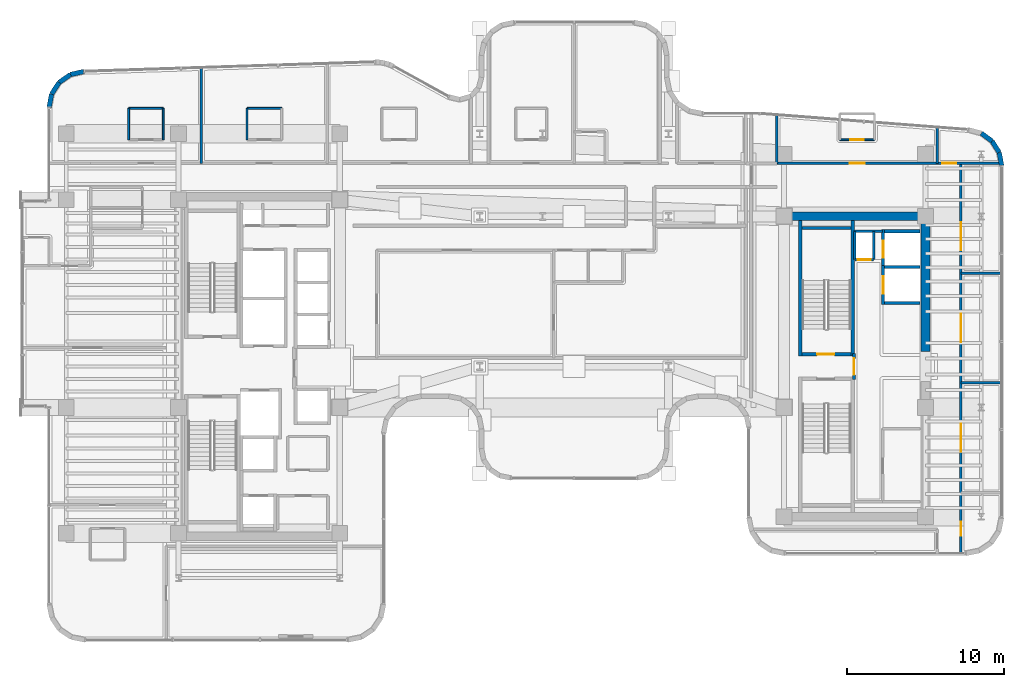
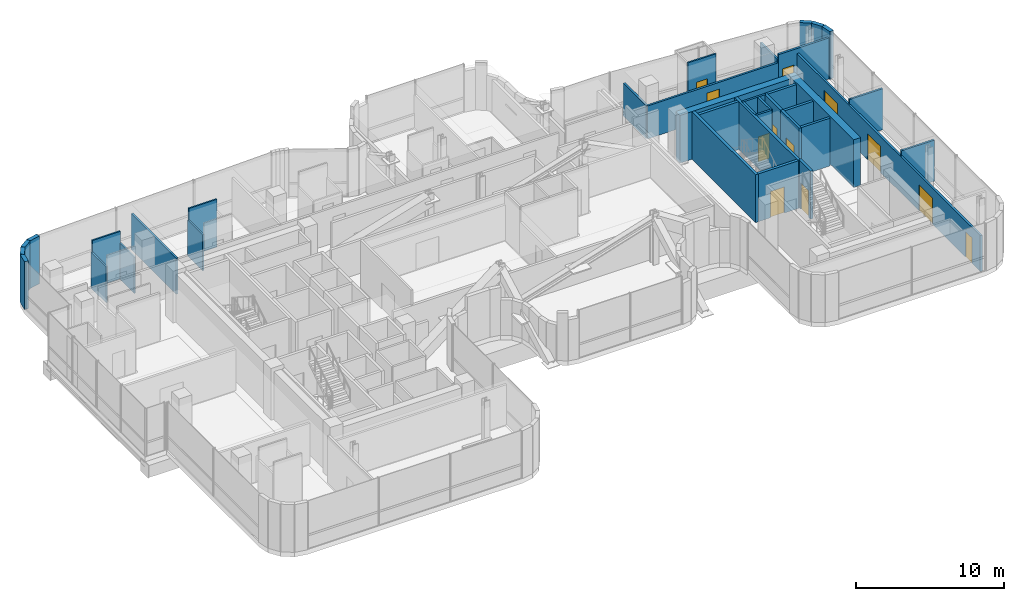
# One storey, part 30 of 37: 37 walls, 12 doors, 12 openings.
"""IFC4 building model written with IfcOpenShell, lengths in metres."""

from ifc_helpers import new_model, si_unit, direction, frame, frame_2d, origin, place, context, subcontext, project, spatial, rectangle, extrude, material, layer, layer_set, type_object, element, fill, save


model = new_model("IFC4")

# Units and contexts
model_context = context("Model", 3, precision=1e-05, world=origin(), true_north=direction((0.0, 1.0)))
body_context = subcontext(model_context, "Body", "Model", "MODEL_VIEW")
ifc_project = project(units=[si_unit("LENGTHUNIT", "METRE"), si_unit("AREAUNIT", "SQUARE_METRE"), si_unit("VOLUMEUNIT", "CUBIC_METRE"), si_unit("PLANEANGLEUNIT", "RADIAN"), si_unit("MASSUNIT", "GRAM", prefix="KILO")], contexts=[model_context])

# Site, building, storey
site_placement = place(None, origin())
site = spatial("IfcSite", under=ifc_project, at=site_placement, CompositionType="ELEMENT")
building_placement = place(site_placement, origin())
building = spatial("IfcBuilding", under=site, at=building_placement, Name="Valdorenza Pilgrim Sanctuary Tower", CompositionType="ELEMENT")
storey_placement = place(building_placement, frame((0.0, 0.0, 172.300048828125)))
storey = spatial("IfcBuildingStorey", under=building, at=storey_placement, Name="L44", CompositionType="ELEMENT", Elevation=172.300048828125)

# Wall, opening, door
ifc_material_1 = material(Name="Acoustic twin-stud gypsum partition", Category="gypsum")
ifc_layer_1 = layer(ifc_material_1, 0.159912109375, Name="Acoustic twin-stud gypsum partition")
ifc_layer_set_1 = layer_set([ifc_layer_1], Name="Acoustic twin-stud gypsum partition")
wall_type_1 = type_object("IfcWallType", Name="WAL-COR-160", PredefinedType="PARTITIONING", material=ifc_layer_set_1)
wall_1_placement = place(storey_placement, frame((20.35009765625, 6.800048828125, 0.0), z_axis=(0.0, 0.0, 1.0), x_axis=(1.0, 0.0, 0.0)))
wall_1 = element("IfcWall", 1, at=wall_1_placement, inside=storey, type_object=wall_type_1, Name="L44 Core B Riser South Wall", PredefinedType="PARTITIONING", context=body_context, shape_type="SweptSolid", body=[
    extrude(rectangle(XDim=1.199951171875, YDim=0.159912109375, at=frame_2d((0.60009765625, 0.0))), origin(), (0.0, 0.0, 1.0), 3.929931640625),
])
opening_1_placement = place(wall_1_placement, frame((0.175048828125, 0.0, 0.0)))
opening_1 = element("IfcOpeningElement", 2, at=opening_1_placement, cuts=wall_1, Name="Opening DR-RS1", PredefinedType="OPENING", context=body_context, shape_type="SweptSolid", body=[
    extrude(rectangle(XDim=0.85009765625, YDim=2.050048828125, at=frame_2d((0.425048828125, 1.02490234375))), frame((0.0, 0.0947265625, 0.0), z_axis=(0.0, -1.0, 0.0), x_axis=(1.0, 0.0, 0.0)), (0.0, 0.0, 1.0), 0.189697265625),
])
ifc_material_2 = material(Name="Painted galvanized steel", Category="steel")
door_type_1 = type_object("IfcDoorType", Name="DR-RSR-850", OperationType="NOTDEFINED", PredefinedType="DOOR", material=ifc_material_2)
door_1_placement = place(opening_1_placement, origin())
door_1 = element("IfcDoor", 3, at=door_1_placement, inside=storey, type_object=door_type_1, Name="L44 Core B Electrical Riser Door", OperationType="SINGLE_SWING_RIGHT", OverallHeight=2.050048828125, OverallWidth=0.85009765625, PredefinedType="DOOR", context=body_context, shape_type="SweptSolid", body=[
    extrude(rectangle(XDim=0.85009765625, YDim=2.050048828125, at=frame_2d((0.425048828125, 1.02490234375))), frame((0.0, 0.02490234375, 0.0), z_axis=(0.0, -1.0, 0.0), x_axis=(1.0, 0.0, 0.0)), (0.0, 0.0, 1.0), 0.050048828125),
])
fill(opening_1, door_1)

# Walls
for number, where, z_axis, x_axis, name in (
    (4, (21.550048828125, 6.800048828125, 0.0), (0.0, 0.0, 1.0), (0.0, 1.0, 0.0), "L44 Core B Riser East Wall"),
    (5, (20.35009765625, 6.800048828125, 0.0), (0.0, 0.0, 1.0), (0.0, 1.0, 0.0), "L44 Core B Riser West Wall"),
):
    element("IfcWall", number, at=place(storey_placement, frame(where, z_axis=z_axis, x_axis=x_axis)), inside=storey, type_object=wall_type_1, Name=name, PredefinedType="PARTITIONING", context=body_context, shape_type="SweptSolid", body=[
        extrude(rectangle(XDim=1.800048828125, YDim=0.159912109375, at=frame_2d((0.89990234375, 0.0))), origin(), (0.0, 0.0, 1.0), 3.929931640625),
    ])
wall_2_placement = place(storey_placement, frame((20.300048828125, 8.60009765625, 0.0), z_axis=(0.0, 0.0, 1.0), x_axis=(1.0, 0.0, 0.0)))
element("IfcWall", 6, at=wall_2_placement, inside=storey, type_object=wall_type_1, Name="L44 Core B Lift Hall North End Wall", PredefinedType="PARTITIONING", context=body_context, shape_type="SweptSolid", body=[
    extrude(rectangle(XDim=1.820068359375, YDim=0.159912109375, at=frame_2d((0.91015625, 0.0))), origin(), (0.0, 0.0, 1.0), 3.929931640625),
])

# Wall, opening, door
wall_3_placement = place(storey_placement, frame((15.39990234375, 12.919921875, 0.0), z_axis=(0.0, 0.0, 1.0), x_axis=(1.0, 0.0, 0.0)))
wall_3 = element("IfcWall", 7, at=wall_3_placement, inside=storey, type_object=wall_type_1, Name="L44 Wing B North Corridor Wall", PredefinedType="PARTITIONING", context=body_context, shape_type="SweptSolid", body=[
    extrude(rectangle(XDim=10.2001953125, YDim=0.159912109375, at=frame_2d((5.10009765625, 0.0))), origin(), (0.0, 0.0, 1.0), 2.71484375),
])
opening_2_placement = place(wall_3_placement, frame((4.625, 0.0, 0.0)))
opening_2 = element("IfcOpeningElement", 8, at=opening_2_placement, cuts=wall_3, Name="Opening DR-UN1", PredefinedType="OPENING", context=body_context, shape_type="SweptSolid", body=[
    extrude(rectangle(XDim=0.949951171875, YDim=2.14990234375, at=frame_2d((0.47509765625, 1.074951171875))), frame((0.0, 0.0947265625, 0.0), z_axis=(0.0, -1.0, 0.0), x_axis=(1.0, 0.0, 0.0)), (0.0, 0.0, 1.0), 0.189697265625),
])
ifc_material_3 = material(Name="Solid-core European oak timber", Category="wood")
door_type_2 = type_object("IfcDoorType", Name="DR-UNIT-950", OperationType="NOTDEFINED", PredefinedType="DOOR", material=ifc_material_3)
door_2_placement = place(opening_2_placement, frame((0.949951171875, 0.0, 0.0), z_axis=(0.0, 0.0, 1.0), x_axis=(-1.0, 0.0, 0.0)))
door_2 = element("IfcDoor", 9, at=door_2_placement, inside=storey, type_object=door_type_2, Name="L44 East North Guest Room L44-EN1 Entrance Door", OperationType="SINGLE_SWING_LEFT", OverallHeight=2.14990234375, OverallWidth=0.949951171875, PredefinedType="DOOR", context=body_context, shape_type="SweptSolid", body=[
    extrude(rectangle(XDim=0.949951171875, YDim=2.14990234375, at=frame_2d((0.47509765625, 1.074951171875))), frame((0.0, 0.02490234375, 0.0), z_axis=(0.0, -1.0, 0.0), x_axis=(1.0, 0.0, 0.0)), (0.0, 0.0, 1.0), 0.050048828125),
])
fill(opening_2, door_2)

# Walls
wall_4_placement = place(storey_placement, frame((15.39990234375, 12.919921875, 0.0), z_axis=(0.0, 0.0, 1.0), x_axis=(0.0, 1.0, 0.0)))
element("IfcWall", 10, at=wall_4_placement, inside=storey, type_object=wall_type_1, Name="L44 Wing B North West Wall", PredefinedType="PARTITIONING", context=body_context, shape_type="SweptSolid", body=[
    extrude(rectangle(XDim=3.08447265625, YDim=0.159912109375, at=frame_2d((1.542236328125, 0.0))), origin(), (0.0, 0.0, 1.0), 2.71484375),
])
wall_5_placement = place(storey_placement, frame((25.60009765625, 12.919921875, 0.0), z_axis=(0.0, 0.0, 1.0), x_axis=(0.0, 1.0, 0.0)))
element("IfcWall", 11, at=wall_5_placement, inside=storey, type_object=wall_type_1, Name="L44 Wing B North East Wall", PredefinedType="PARTITIONING", context=body_context, shape_type="SweptSolid", body=[
    extrude(rectangle(XDim=2.294921875, YDim=0.159912109375, at=frame_2d((1.1474609375, 0.0))), origin(), (0.0, 0.0, 1.0), 2.96484375),
])

# Wall, openings, doors
wall_6_placement = place(storey_placement, frame((27.10009765625, -11.889892578125, 0.0), z_axis=(0.0, 0.0, 1.0), x_axis=(0.0, 1.0, 0.0)))
wall_6 = element("IfcWall", 12, at=wall_6_placement, inside=storey, type_object=wall_type_1, Name="L44 Wing B East Corridor Wall", PredefinedType="PARTITIONING", context=body_context, shape_type="SweptSolid", body=[
    extrude(rectangle(XDim=24.809814453125, YDim=0.159912109375, at=frame_2d((12.40478515625, 0.0))), origin(), (0.0, 0.0, 1.0), 2.96484375),
])
opening_3_placement = place(wall_6_placement, frame((1.1201171875, 0.0, 0.0)))
opening_3 = element("IfcOpeningElement", 13, at=opening_3_placement, cuts=wall_6, Name="Opening DR-RM1", PredefinedType="OPENING", context=body_context, shape_type="SweptSolid", body=[
    extrude(rectangle(XDim=0.89990234375, YDim=2.10009765625, at=frame_2d((0.449951171875, 1.050048828125))), frame((0.0, 0.0947265625, 0.0), z_axis=(0.0, -1.0, 0.0), x_axis=(1.0, 0.0, 0.0)), (0.0, 0.0, 1.0), 0.189697265625),
])
opening_4_placement = place(wall_6_placement, frame((6.4599609375, 0.0, 0.0)))
opening_4 = element("IfcOpeningElement", 14, at=opening_4_placement, cuts=wall_6, Name="Opening DR-HL1", PredefinedType="OPENING", context=body_context, shape_type="SweptSolid", body=[
    extrude(rectangle(XDim=1.800048828125, YDim=2.14990234375, at=frame_2d((0.89990234375, 1.074951171875))), frame((0.0, 0.0947265625, 0.0), z_axis=(0.0, -1.0, 0.0), x_axis=(1.0, 0.0, 0.0)), (0.0, 0.0, 1.0), 0.189697265625),
])
opening_5_placement = place(wall_6_placement, frame((13.43994140625, 0.0, 0.0)))
opening_5 = element("IfcOpeningElement", 15, at=opening_5_placement, cuts=wall_6, Name="Opening DR-HL1", PredefinedType="OPENING", context=body_context, shape_type="SweptSolid", body=[
    extrude(rectangle(XDim=1.800048828125, YDim=2.14990234375, at=frame_2d((0.89990234375, 1.074951171875))), frame((0.0, 0.0947265625, 0.0), z_axis=(0.0, -1.0, 0.0), x_axis=(1.0, 0.0, 0.0)), (0.0, 0.0, 1.0), 0.189697265625),
])
opening_6_placement = place(wall_6_placement, frame((19.27001953125, 0.0, 0.0)))
opening_6 = element("IfcOpeningElement", 16, at=opening_6_placement, cuts=wall_6, Name="Opening DR-HL1", PredefinedType="OPENING", context=body_context, shape_type="SweptSolid", body=[
    extrude(rectangle(XDim=1.800048828125, YDim=2.14990234375, at=frame_2d((0.89990234375, 1.074951171875))), frame((0.0, 0.0947265625, 0.0), z_axis=(0.0, -1.0, 0.0), x_axis=(1.0, 0.0, 0.0)), (0.0, 0.0, 1.0), 0.189697265625),
])
ifc_material_4 = material(Name="Acoustic oak and vision-glass double door", Category="glass")
door_type_3 = type_object("IfcDoorType", Name="DR-HALL-1800", OperationType="NOTDEFINED", PredefinedType="DOOR", material=ifc_material_4)
door_3_placement = place(opening_4_placement, origin())
door_3 = element("IfcDoor", 17, at=door_3_placement, inside=storey, type_object=door_type_3, Name="L44 East Reading Lounge L44-EB2 Door", OperationType="DOUBLE_DOOR_SINGLE_SWING", OverallHeight=2.14990234375, OverallWidth=1.800048828125, PredefinedType="DOOR", context=body_context, shape_type="SweptSolid", body=[
    extrude(rectangle(XDim=1.800048828125, YDim=2.14990234375, at=frame_2d((0.89990234375, 1.074951171875))), frame((0.0, 0.02490234375, 0.0), z_axis=(0.0, -1.0, 0.0), x_axis=(1.0, 0.0, 0.0)), (0.0, 0.0, 1.0), 0.050048828125),
])
fill(opening_4, door_3)
door_4_placement = place(opening_5_placement, frame((1.800048828125, 0.0, 0.0), z_axis=(0.0, 0.0, 1.0), x_axis=(-1.0, 0.0, 0.0)))
door_4 = element("IfcDoor", 18, at=door_4_placement, inside=storey, type_object=door_type_3, Name="L44 East Reading Lounge L44-EB3 Door", OperationType="DOUBLE_DOOR_SINGLE_SWING", OverallHeight=2.14990234375, OverallWidth=1.800048828125, PredefinedType="DOOR", context=body_context, shape_type="SweptSolid", body=[
    extrude(rectangle(XDim=1.800048828125, YDim=2.14990234375, at=frame_2d((0.89990234375, 1.074951171875))), frame((0.0, 0.02490234375, 0.0), z_axis=(0.0, -1.0, 0.0), x_axis=(1.0, 0.0, 0.0)), (0.0, 0.0, 1.0), 0.050048828125),
])
fill(opening_5, door_4)
door_5_placement = place(opening_6_placement, origin())
door_5 = element("IfcDoor", 19, at=door_5_placement, inside=storey, type_object=door_type_3, Name="L44 East Reading Lounge L44-EB4 Door", OperationType="DOUBLE_DOOR_SINGLE_SWING", OverallHeight=2.14990234375, OverallWidth=1.800048828125, PredefinedType="DOOR", context=body_context, shape_type="SweptSolid", body=[
    extrude(rectangle(XDim=1.800048828125, YDim=2.14990234375, at=frame_2d((0.89990234375, 1.074951171875))), frame((0.0, 0.02490234375, 0.0), z_axis=(0.0, -1.0, 0.0), x_axis=(1.0, 0.0, 0.0)), (0.0, 0.0, 1.0), 0.050048828125),
])
fill(opening_6, door_5)
door_type_4 = type_object("IfcDoorType", Name="DR-ROOM-900", OperationType="NOTDEFINED", PredefinedType="DOOR", material=ifc_material_3)
door_6_placement = place(opening_3_placement, frame((0.89990234375, 0.0, 0.0), z_axis=(0.0, 0.0, 1.0), x_axis=(-1.0, 0.0, 0.0)))
door_6 = element("IfcDoor", 20, at=door_6_placement, inside=storey, type_object=door_type_4, Name="L44 East Reading Lounge L44-EB1 Door", OperationType="SINGLE_SWING_LEFT", OverallHeight=2.10009765625, OverallWidth=0.89990234375, PredefinedType="DOOR", context=body_context, shape_type="SweptSolid", body=[
    extrude(rectangle(XDim=0.89990234375, YDim=2.10009765625, at=frame_2d((0.449951171875, 1.050048828125))), frame((0.0, 0.02490234375, 0.0), z_axis=(0.0, -1.0, 0.0), x_axis=(1.0, 0.0, 0.0)), (0.0, 0.0, 1.0), 0.050048828125),
])
fill(opening_3, door_6)

# Wall, opening, door
wall_7_placement = place(storey_placement, frame((25.60009765625, 12.919921875, 0.0), z_axis=(0.0, 0.0, 1.0), x_axis=(1.0, 0.0, 0.0)))
wall_7 = element("IfcWall", 21, at=wall_7_placement, inside=storey, type_object=wall_type_1, Name="L44 East Wing NE Corner South Wall", PredefinedType="PARTITIONING", context=body_context, shape_type="SweptSolid", body=[
    extrude(rectangle(XDim=3.93408203125, YDim=0.159912109375, at=frame_2d((1.967041015625, 0.0))), origin(), (0.0, 0.0, 1.0), 3.3759765625),
])
opening_7_placement = place(wall_7_placement, frame((0.300048828125, 0.0, 0.0)))
opening_7 = element("IfcOpeningElement", 22, at=opening_7_placement, cuts=wall_7, Name="Opening DR-RM1", PredefinedType="OPENING", context=body_context, shape_type="SweptSolid", body=[
    extrude(rectangle(XDim=0.89990234375, YDim=2.10009765625, at=frame_2d((0.449951171875, 1.050048828125))), frame((0.0, 0.0947265625, 0.0), z_axis=(0.0, -1.0, 0.0), x_axis=(1.0, 0.0, 0.0)), (0.0, 0.0, 1.0), 0.189697265625),
])
door_7_placement = place(opening_7_placement, origin())
door_7 = element("IfcDoor", 23, at=door_7_placement, inside=storey, type_object=door_type_4, Name="L44 East North Alcove Office L44 Door", OperationType="SINGLE_SWING_RIGHT", OverallHeight=2.10009765625, OverallWidth=0.89990234375, PredefinedType="DOOR", context=body_context, shape_type="SweptSolid", body=[
    extrude(rectangle(XDim=0.89990234375, YDim=2.10009765625, at=frame_2d((0.449951171875, 1.050048828125))), frame((0.0, 0.02490234375, 0.0), z_axis=(0.0, -1.0, 0.0), x_axis=(1.0, 0.0, 0.0)), (0.0, 0.0, 1.0), 0.050048828125),
])
fill(opening_7, door_7)

# Walls
ifc_material_5 = material(Name="Concrete C50/60", Category="concrete")
ifc_layer_2 = layer(ifc_material_5, 0.550048828125, Name="Concrete C50/60")
ifc_layer_set_2 = layer_set([ifc_layer_2], Name="Concrete C50/60")
wall_type_2 = type_object("IfcWallType", Name="WAL-COR-550", PredefinedType="SHEAR", material=ifc_layer_set_2)
wall_8_placement = place(storey_placement, frame((24.85009765625, 0.949951171875, 0.0), z_axis=(0.0, 0.0, 1.0), x_axis=(0.0, 1.0, 0.0)))
element("IfcWall", 24, at=wall_8_placement, inside=storey, type_object=wall_type_2, Name="L44 Split Core B Shear Wall EN", PredefinedType="SHEAR", context=body_context, shape_type="SweptSolid", body=[
    extrude(rectangle(XDim=8.875, YDim=0.550048828125, at=frame_2d((4.4375, 0.0))), origin(), (0.0, 0.0, 1.0), 3.929931640625),
])
wall_9_placement = place(storey_placement, frame((15.85009765625, 9.550048828125, 0.0), z_axis=(0.0, 0.0, 1.0), x_axis=(1.0, 0.0, 0.0)))
element("IfcWall", 25, at=wall_9_placement, inside=storey, type_object=wall_type_2, Name="L44 Split Core B Shear Wall N", PredefinedType="SHEAR", context=body_context, shape_type="SweptSolid", body=[
    extrude(rectangle(XDim=9.0, YDim=0.550048828125, at=frame_2d((4.5, 0.0))), origin(), (0.0, 0.0, 1.0), 3.929931640625),
])
ifc_material_6 = material(Name="Honed travertine limestone", Category="masonry")
ifc_layer_3 = layer(ifc_material_6, 0.300048828125, Name="Honed travertine limestone")
ifc_layer_set_3 = layer_set([ifc_layer_3], Name="Honed travertine limestone")
wall_type_3 = type_object("IfcWallType", Name="WAL-EXT-300", PredefinedType="SOLIDWALL", material=ifc_layer_set_3)
wall_10_placement = place(storey_placement, frame((-30.889892578125, 16.46630859375, 0.0), z_axis=(0.0, 0.0, 1.0), x_axis=(0.191128020887, 0.981565117367, 0.0)))
element("IfcWall", 26, at=wall_10_placement, inside=storey, type_object=wall_type_3, Name="L44 Rounded Wind-Corner Stone Pier 2", PredefinedType="SOLIDWALL", context=body_context, shape_type="SweptSolid", body=[
    extrude(rectangle(XDim=0.88525390625, YDim=0.300048828125, at=frame_2d((0.442626953125, 0.0))), origin(), (0.0, 0.0, 1.0), 3.929931640625),
])
wall_11_placement = place(storey_placement, frame((-30.720703125, 17.335205078125, 0.0), z_axis=(0.0, 0.0, 1.0), x_axis=(0.545322000684, 0.838226649284, 0.0)))
element("IfcWall", 27, at=wall_11_placement, inside=storey, type_object=wall_type_3, Name="L44 Rounded Wind-Corner Stone Pier 3", PredefinedType="SOLIDWALL", context=body_context, shape_type="SweptSolid", body=[
    extrude(rectangle(XDim=0.874267578125, YDim=0.300048828125, at=frame_2d((0.43701171875, 0.0))), origin(), (0.0, 0.0, 1.0), 3.929931640625),
])
wall_12_placement = place(storey_placement, frame((-30.243896484375, 18.068115234375, 0.0), z_axis=(0.0, 0.0, 1.0), x_axis=(0.820005059444, 0.572356272339, 0.0)))
element("IfcWall", 28, at=wall_12_placement, inside=storey, type_object=wall_type_3, Name="L44 Rounded Wind-Corner Stone Pier 4", PredefinedType="SOLIDWALL", context=body_context, shape_type="SweptSolid", body=[
    extrude(rectangle(XDim=0.87451171875, YDim=0.300048828125, at=frame_2d((0.437255859375, 0.0))), origin(), (0.0, 0.0, 1.0), 3.929931640625),
])
wall_13_placement = place(storey_placement, frame((-29.52685546875, 18.568603515625, 0.0), z_axis=(0.0, 0.0, 1.0), x_axis=(0.974798570829, 0.223086858218, 0.0)))
element("IfcWall", 29, at=wall_13_placement, inside=storey, type_object=wall_type_3, Name="L44 Rounded Wind-Corner Stone Pier 5", PredefinedType="SOLIDWALL", context=body_context, shape_type="SweptSolid", body=[
    extrude(rectangle(XDim=0.88525390625, YDim=0.300048828125, at=frame_2d((0.442626953125, 0.0))), origin(), (0.0, 0.0, 1.0), 3.929931640625),
])
wall_14_placement = place(storey_placement, frame((28.396484375, 14.838134765625, 0.0), z_axis=(0.0, 0.0, 1.0), x_axis=(0.803847397988, -0.594835574548, 0.0)))
element("IfcWall", 30, at=wall_14_placement, inside=storey, type_object=wall_type_3, Name="L44 Rounded Wind-Corner Stone Pier 34", PredefinedType="SOLIDWALL", context=body_context, shape_type="SweptSolid", body=[
    extrude(rectangle(XDim=0.84912109375, YDim=0.300048828125, at=frame_2d((0.424560546875, 0.0))), origin(), (0.0, 0.0, 1.0), 3.929931640625),
])
wall_15_placement = place(storey_placement, frame((29.0791015625, 14.3330078125, 0.0), z_axis=(0.0, 0.0, 1.0), x_axis=(0.53134147342, -0.847157741288, 0.0)))
element("IfcWall", 31, at=wall_15_placement, inside=storey, type_object=wall_type_3, Name="L44 Rounded Wind-Corner Stone Pier 35", PredefinedType="SOLIDWALL", context=body_context, shape_type="SweptSolid", body=[
    extrude(rectangle(XDim=0.849609375, YDim=0.300048828125, at=frame_2d((0.4248046875, 0.0))), origin(), (0.0, 0.0, 1.0), 3.929931640625),
])
wall_16_placement = place(storey_placement, frame((29.530517578125, 13.61328125, 0.0), z_axis=(0.0, 0.0, 1.0), x_axis=(0.185402686284, -0.982662629756, 0.0)))
element("IfcWall", 32, at=wall_16_placement, inside=storey, type_object=wall_type_3, Name="L44 Rounded Wind-Corner Stone Pier 36", PredefinedType="SOLIDWALL", context=body_context, shape_type="SweptSolid", body=[
    extrude(rectangle(XDim=0.85986328125, YDim=0.300048828125, at=frame_2d((0.429931640625, 0.0))), origin(), (0.0, 0.0, 1.0), 3.929931640625),
])

# Wall, opening, door
ifc_material_7 = material(Name="Gypsum shaftwall partition", Category="gypsum")
ifc_layer_4 = layer(ifc_material_7, 0.199951171875, Name="Gypsum shaftwall partition")
ifc_layer_set_4 = layer_set([ifc_layer_4], Name="Gypsum shaftwall partition")
wall_type_4 = type_object("IfcWallType", Name="WAL-FFL-200", PredefinedType="PARTITIONING", material=ifc_layer_set_4)
wall_17_placement = place(storey_placement, frame((20.300048828125, -0.820068359375, 0.0), z_axis=(0.0, 0.0, 1.0), x_axis=(0.0, 1.0, 0.0)))
wall_17 = element("IfcWall", 33, at=wall_17_placement, inside=storey, type_object=wall_type_4, Name="L44 Core B Firefighting Lobby East Wall", PredefinedType="PARTITIONING", context=body_context, shape_type="SweptSolid", body=[
    extrude(rectangle(XDim=1.64013671875, YDim=0.199951171875, at=frame_2d((0.820068359375, 0.0))), origin(), (0.0, 0.0, 1.0), 3.929931640625),
])
opening_8_placement = place(wall_17_placement, frame((0.294921875, 0.0, 0.0)))
opening_8 = element("IfcOpeningElement", 34, at=opening_8_placement, cuts=wall_17, Name="Opening DR-FL1", PredefinedType="OPENING", context=body_context, shape_type="SweptSolid", body=[
    extrude(rectangle(XDim=1.050048828125, YDim=2.14990234375, at=frame_2d((0.52490234375, 1.074951171875))), frame((0.0, 0.11474609375, 0.0), z_axis=(0.0, -1.0, 0.0), x_axis=(1.0, 0.0, 0.0)), (0.0, 0.0, 1.0), 0.229736328125),
])
door_type_5 = type_object("IfcDoorType", Name="DR-FFL-1050", OperationType="NOTDEFINED", PredefinedType="DOOR", material=ifc_material_2)
door_8_placement = place(opening_8_placement, frame((1.050048828125, 0.0, 0.0), z_axis=(0.0, 0.0, 1.0), x_axis=(-1.0, 0.0, 0.0)))
door_8 = element("IfcDoor", 35, at=door_8_placement, inside=storey, type_object=door_type_5, Name="L44 Core B Firefighting Lobby Door", OperationType="SINGLE_SWING_LEFT", OverallHeight=2.14990234375, OverallWidth=1.050048828125, PredefinedType="DOOR", context=body_context, shape_type="SweptSolid", body=[
    extrude(rectangle(XDim=1.050048828125, YDim=2.14990234375, at=frame_2d((0.52490234375, 1.074951171875))), frame((0.0, 0.02490234375, 0.0), z_axis=(0.0, -1.0, 0.0), x_axis=(1.0, 0.0, 0.0)), (0.0, 0.0, 1.0), 0.050048828125),
])
fill(opening_8, door_8)

# Walls
ifc_material_8 = material(Name="Moisture-resistant gypsum partition", Category="gypsum")
ifc_layer_5 = layer(ifc_material_8, 0.1201171875, Name="Moisture-resistant gypsum partition")
ifc_layer_set_5 = layer_set([ifc_layer_5], Name="Moisture-resistant gypsum partition")
wall_type_5 = type_object("IfcWallType", Name="WAL-INT-120", PredefinedType="PARTITIONING", material=ifc_layer_set_5)
for number, where, z_axis, x_axis, name in (
    (36, (-25.824951171875, 14.419921875, 0.0), (0.0, 0.0, 1.0), (0.0, 1.0, 0.0), "L44 North Guest Room L44-N1 En-suite West Wall"),
    (37, (-23.625, 14.419921875, 0.0), (0.0, 0.0, 1.0), (0.0, 1.0, 0.0), "L44 North Guest Room L44-N1 En-suite East Wall"),
):
    element("IfcWall", number, at=place(storey_placement, frame(where, z_axis=z_axis, x_axis=x_axis)), inside=storey, type_object=wall_type_5, Name=name, PredefinedType="PARTITIONING", context=body_context, shape_type="SweptSolid", body=[
        extrude(rectangle(XDim=2.0, YDim=0.1201171875, at=frame_2d((1.0, 0.0))), origin(), (0.0, 0.0, 1.0), 2.96484375),
    ])
wall_18_placement = place(storey_placement, frame((-25.824951171875, 16.419921875, 0.0), z_axis=(0.0, 0.0, 1.0), x_axis=(1.0, 0.0, 0.0)))
element("IfcWall", 38, at=wall_18_placement, inside=storey, type_object=wall_type_5, Name="L44 North Guest Room L44-N1 En-suite Back Wall", PredefinedType="PARTITIONING", context=body_context, shape_type="SweptSolid", body=[
    extrude(rectangle(XDim=2.199951171875, YDim=0.1201171875, at=frame_2d((1.10009765625, 0.0))), origin(), (0.0, 0.0, 1.0), 3.929931640625),
])
wall_19_placement = place(storey_placement, frame((-18.300048828125, 14.419921875, 0.0), z_axis=(0.0, 0.0, 1.0), x_axis=(0.0, 1.0, 0.0)))
element("IfcWall", 39, at=wall_19_placement, inside=storey, type_object=wall_type_5, Name="L44 North Guest Room L44-N2 En-suite West Wall", PredefinedType="PARTITIONING", context=body_context, shape_type="SweptSolid", body=[
    extrude(rectangle(XDim=2.0, YDim=0.1201171875, at=frame_2d((1.0, 0.0))), origin(), (0.0, 0.0, 1.0), 2.96484375),
])
wall_20_placement = place(storey_placement, frame((-18.300048828125, 16.419921875, 0.0), z_axis=(0.0, 0.0, 1.0), x_axis=(1.0, 0.0, 0.0)))
element("IfcWall", 40, at=wall_20_placement, inside=storey, type_object=wall_type_5, Name="L44 North Guest Room L44-N2 En-suite Back Wall", PredefinedType="PARTITIONING", context=body_context, shape_type="SweptSolid", body=[
    extrude(rectangle(XDim=2.199951171875, YDim=0.1201171875, at=frame_2d((1.10009765625, 0.0))), origin(), (0.0, 0.0, 1.0), 3.929931640625),
])

# Wall, opening, door
wall_21_placement = place(storey_placement, frame((19.39990234375, 14.419921875, 0.0), z_axis=(0.0, 0.0, 1.0), x_axis=(1.0, 0.0, 0.0)))
wall_21 = element("IfcWall", 41, at=wall_21_placement, inside=storey, type_object=wall_type_5, Name="L44 East North Guest Room L44-EN1 En-suite Door Wall", PredefinedType="PARTITIONING", context=body_context, shape_type="SweptSolid", body=[
    extrude(rectangle(XDim=2.2001953125, YDim=0.1201171875, at=frame_2d((1.10009765625, 0.0))), origin(), (0.0, 0.0, 1.0), 3.929931640625),
])
opening_9_placement = place(wall_21_placement, frame((0.675048828125, 0.0, 0.0)))
opening_9 = element("IfcOpeningElement", 42, at=opening_9_placement, cuts=wall_21, Name="Opening DR-WC1", PredefinedType="OPENING", context=body_context, shape_type="SweptSolid", body=[
    extrude(rectangle(XDim=0.85009765625, YDim=2.10009765625, at=frame_2d((0.425048828125, 1.050048828125))), frame((0.0, 0.074951171875, 0.0), z_axis=(0.0, -1.0, 0.0), x_axis=(1.0, 0.0, 0.0)), (0.0, 0.0, 1.0), 0.14990234375),
])
ifc_material_9 = material(Name="Moisture-resistant lacquered timber", Category="wood")
door_type_6 = type_object("IfcDoorType", Name="DR-BATH-850", OperationType="NOTDEFINED", PredefinedType="DOOR", material=ifc_material_9)
door_9_placement = place(opening_9_placement, origin())
door_9 = element("IfcDoor", 43, at=door_9_placement, inside=storey, type_object=door_type_6, Name="L44 East North Guest Room L44-EN1 En-suite Bathroom Door", OperationType="SINGLE_SWING_RIGHT", OverallHeight=2.10009765625, OverallWidth=0.85009765625, PredefinedType="DOOR", context=body_context, shape_type="SweptSolid", body=[
    extrude(rectangle(XDim=0.85009765625, YDim=2.10009765625, at=frame_2d((0.425048828125, 1.050048828125))), frame((0.0, 0.02490234375, 0.0), z_axis=(0.0, -1.0, 0.0), x_axis=(1.0, 0.0, 0.0)), (0.0, 0.0, 1.0), 0.050048828125),
])
fill(opening_9, door_9)

ifc_material_10 = material(Name="Autoclaved aerated concrete blockwork", Category="masonry")
ifc_layer_6 = layer(ifc_material_10, 0.199951171875, Name="Autoclaved aerated concrete blockwork")
ifc_layer_set_6 = layer_set([ifc_layer_6], Name="Autoclaved aerated concrete blockwork")
wall_type_6 = type_object("IfcWallType", Name="WAL-SHF-200", PredefinedType="MOVABLE", material=ifc_layer_set_6)
wall_22_placement = place(storey_placement, frame((22.14990234375, 3.949951171875, 0.0), z_axis=(0.0, 0.0, 1.0), x_axis=(0.0, 1.0, 0.0)))
wall_22 = element("IfcWall", 44, at=wall_22_placement, inside=storey, type_object=wall_type_6, Name="L44 Lift PL-07 Hoistway Wall West", PredefinedType="MOVABLE", context=body_context, shape_type="SweptSolid", body=[
    extrude(rectangle(XDim=2.47509765625, YDim=0.199951171875, at=frame_2d((1.237548828125, 0.0))), origin(), (0.0, 0.0, 1.0), 3.929931640625),
])
opening_10_placement = place(wall_22_placement, frame((0.6875, 0.0, 0.0)))
opening_10 = element("IfcOpeningElement", 45, at=opening_10_placement, cuts=wall_22, Name="Opening LD-01", PredefinedType="OPENING", context=body_context, shape_type="SweptSolid", body=[
    extrude(rectangle(XDim=1.10009765625, YDim=2.10009765625, at=frame_2d((0.550048828125, 1.050048828125))), frame((0.0, 0.11474609375, 0.0), z_axis=(0.0, -1.0, 0.0), x_axis=(1.0, 0.0, 0.0)), (0.0, 0.0, 1.0), 0.229736328125),
])
ifc_material_11 = material(Name="Brushed stainless steel Grade 316", Category="steel")
door_type_7 = type_object("IfcDoorType", Name="DR-LFT-1100", OperationType="DOUBLE_DOOR_SLIDING", PredefinedType="DOOR", material=ifc_material_11)
door_10_placement = place(opening_10_placement, origin())
door_10 = element("IfcDoor", 46, at=door_10_placement, inside=storey, type_object=door_type_7, Name="L44 Lift PL-07 Sliding Landing Door", OperationType="DOUBLE_DOOR_SLIDING", OverallHeight=2.10009765625, OverallWidth=1.10009765625, PredefinedType="DOOR", context=body_context, shape_type="SweptSolid", body=[
    extrude(rectangle(XDim=1.10009765625, YDim=2.10009765625, at=frame_2d((0.550048828125, 1.050048828125))), frame((0.0, 0.02490234375, 0.0), z_axis=(0.0, -1.0, 0.0), x_axis=(1.0, 0.0, 0.0)), (0.0, 0.0, 1.0), 0.050048828125),
])
fill(opening_10, door_10)

# Walls
for number, where, z_axis, x_axis, name in (
    (47, (22.25, 4.050048828125, 0.0), (0.0, 0.0, 1.0), (1.0, 0.0, 0.0), "L44 Lift PL-07 Hoistway Wall South"),
    (48, (22.25, 6.324951171875, 0.0), (0.0, 0.0, 1.0), (1.0, 0.0, 0.0), "L44 Lift PL-07 Hoistway Wall North"),
):
    element("IfcWall", number, at=place(storey_placement, frame(where, z_axis=z_axis, x_axis=x_axis)), inside=storey, type_object=wall_type_6, Name=name, PredefinedType="MOVABLE", context=body_context, shape_type="SweptSolid", body=[
        extrude(rectangle(XDim=2.22998046875, YDim=0.199951171875, at=frame_2d((1.114990234375, 0.0))), origin(), (0.0, 0.0, 1.0), 3.929931640625),
    ])

# Wall, opening, door
wall_23_placement = place(storey_placement, frame((22.14990234375, 6.22509765625, 0.0), z_axis=(0.0, 0.0, 1.0), x_axis=(0.0, 1.0, 0.0)))
wall_23 = element("IfcWall", 49, at=wall_23_placement, inside=storey, type_object=wall_type_6, Name="L44 Lift PL-08 Hoistway Wall West", PredefinedType="MOVABLE", context=body_context, shape_type="SweptSolid", body=[
    extrude(rectangle(XDim=2.474853515625, YDim=0.199951171875, at=frame_2d((1.2373046875, 0.0))), origin(), (0.0, 0.0, 1.0), 3.929931640625),
])
opening_11_placement = place(wall_23_placement, frame((0.6875, 0.0, 0.0)))
opening_11 = element("IfcOpeningElement", 50, at=opening_11_placement, cuts=wall_23, Name="Opening LD-01", PredefinedType="OPENING", context=body_context, shape_type="SweptSolid", body=[
    extrude(rectangle(XDim=1.10009765625, YDim=2.10009765625, at=frame_2d((0.550048828125, 1.050048828125))), frame((0.0, 0.11474609375, 0.0), z_axis=(0.0, -1.0, 0.0), x_axis=(1.0, 0.0, 0.0)), (0.0, 0.0, 1.0), 0.229736328125),
])
door_11_placement = place(opening_11_placement, origin())
door_11 = element("IfcDoor", 51, at=door_11_placement, inside=storey, type_object=door_type_7, Name="L44 Lift PL-08 Sliding Landing Door", OperationType="DOUBLE_DOOR_SLIDING", OverallHeight=2.10009765625, OverallWidth=1.10009765625, PredefinedType="DOOR", context=body_context, shape_type="SweptSolid", body=[
    extrude(rectangle(XDim=1.10009765625, YDim=2.10009765625, at=frame_2d((0.550048828125, 1.050048828125))), frame((0.0, 0.02490234375, 0.0), z_axis=(0.0, -1.0, 0.0), x_axis=(1.0, 0.0, 0.0)), (0.0, 0.0, 1.0), 0.050048828125),
])
fill(opening_11, door_11)

# Walls
wall_24_placement = place(storey_placement, frame((22.25, 8.60009765625, 0.0), z_axis=(0.0, 0.0, 1.0), x_axis=(1.0, 0.0, 0.0)))
element("IfcWall", 52, at=wall_24_placement, inside=storey, type_object=wall_type_6, Name="L44 Lift PL-08 Hoistway Wall North", PredefinedType="MOVABLE", context=body_context, shape_type="SweptSolid", body=[
    extrude(rectangle(XDim=2.22998046875, YDim=0.199951171875, at=frame_2d((1.114990234375, 0.0))), origin(), (0.0, 0.0, 1.0), 3.929931640625),
])
ifc_material_12 = material(Name="Concrete C40/50", Category="concrete")
ifc_layer_7 = layer(ifc_material_12, 0.219970703125, Name="Concrete C40/50")
ifc_layer_set_7 = layer_set([ifc_layer_7], Name="Concrete C40/50")
wall_type_7 = type_object("IfcWallType", Name="WAL-STR-SHF-220", PredefinedType="SHEAR", material=ifc_layer_set_7)
for number, where, z_axis, x_axis, name in (
    (53, (16.889892578125, 0.679931640625, 0.0), (0.0, 0.0, 1.0), (0.0, 1.0, 0.0), "L44 ST-B1 Structural Stairwell Wall W"),
    (54, (20.219970703125, 0.679931640625, 0.0), (0.0, 0.0, 1.0), (0.0, 1.0, 0.0), "L44 ST-B1 Structural Stairwell Wall E"),
):
    element("IfcWall", number, at=place(storey_placement, frame(where, z_axis=z_axis, x_axis=x_axis)), inside=storey, type_object=wall_type_7, Name=name, PredefinedType="SHEAR", context=body_context, shape_type="SweptSolid", body=[
        extrude(rectangle(XDim=8.594970703125, YDim=0.219970703125, at=frame_2d((4.29736328125, 0.0))), origin(), (0.0, 0.0, 1.0), 3.929931640625),
    ])

# Wall, opening, door
wall_25_placement = place(storey_placement, frame((17.0, 0.7900390625, 0.0), z_axis=(0.0, 0.0, 1.0), x_axis=(1.0, 0.0, 0.0)))
wall_25 = element("IfcWall", 55, at=wall_25_placement, inside=storey, type_object=wall_type_7, Name="L44 ST-B1 Structural Stairwell Wall S", PredefinedType="SHEAR", context=body_context, shape_type="SweptSolid", body=[
    extrude(rectangle(XDim=3.110107421875, YDim=0.219970703125, at=frame_2d((1.55517578125, 0.0))), origin(), (0.0, 0.0, 1.0), 3.929931640625),
])
opening_12_placement = place(wall_25_placement, frame((0.949951171875, 0.0, 0.0)))
opening_12 = element("IfcOpeningElement", 56, at=opening_12_placement, cuts=wall_25, Name="Opening DR-ST1", PredefinedType="OPENING", context=body_context, shape_type="SweptSolid", body=[
    extrude(rectangle(XDim=1.10009765625, YDim=2.14990234375, at=frame_2d((0.550048828125, 1.074951171875))), frame((0.0, 0.125, 0.0), z_axis=(0.0, -1.0, 0.0), x_axis=(1.0, 0.0, 0.0)), (0.0, 0.0, 1.0), 0.249755859375),
])
door_type_8 = type_object("IfcDoorType", Name="DR-STAIR-1100", OperationType="NOTDEFINED", PredefinedType="DOOR", material=ifc_material_2)
door_12_placement = place(opening_12_placement, origin())
door_12 = element("IfcDoor", 57, at=door_12_placement, inside=storey, type_object=door_type_8, Name="L44 Exit Stair ST-B1 Door", OperationType="SINGLE_SWING_RIGHT", OverallHeight=2.14990234375, OverallWidth=1.10009765625, PredefinedType="DOOR", context=body_context, shape_type="SweptSolid", body=[
    extrude(rectangle(XDim=1.10009765625, YDim=2.14990234375, at=frame_2d((0.550048828125, 1.074951171875))), frame((0.0, 0.02490234375, 0.0), z_axis=(0.0, -1.0, 0.0), x_axis=(1.0, 0.0, 0.0)), (0.0, 0.0, 1.0), 0.050048828125),
])
fill(opening_12, door_12)

# Walls
wall_26_placement = place(storey_placement, frame((17.0, 8.81005859375, 0.0), z_axis=(0.0, 0.0, 1.0), x_axis=(1.0, 0.0, 0.0)))
element("IfcWall", 58, at=wall_26_placement, inside=storey, type_object=wall_type_7, Name="L44 ST-B1 Structural Stairwell Wall N", PredefinedType="SHEAR", context=body_context, shape_type="SweptSolid", body=[
    extrude(rectangle(XDim=3.110107421875, YDim=0.219970703125, at=frame_2d((1.55517578125, 0.0))), origin(), (0.0, 0.0, 1.0), 3.929931640625),
])
ifc_layer_8 = layer(ifc_material_1, 0.14990234375, Name="Acoustic twin-stud gypsum partition")
ifc_layer_set_8 = layer_set([ifc_layer_8], Name="Acoustic twin-stud gypsum partition")
wall_type_8 = type_object("IfcWallType", Name="WAL-UNT-150", PredefinedType="PARTITIONING", material=ifc_layer_set_8)
wall_27_placement = place(storey_placement, frame((-21.199951171875, 12.919921875, 0.0), z_axis=(0.0, 0.0, 1.0), x_axis=(0.0, 1.0, 0.0)))
element("IfcWall", 59, at=wall_27_placement, inside=storey, type_object=wall_type_8, Name="L44 North Demising 1", PredefinedType="PARTITIONING", context=body_context, shape_type="SweptSolid", body=[
    extrude(rectangle(XDim=6.089111328125, YDim=0.14990234375, at=frame_2d((3.04443359375, 0.0))), origin(), (0.0, 0.0, 1.0), 2.96484375),
])
for number, where, z_axis, x_axis, name in (
    (60, (27.10009765625, -1.0400390625, 0.0), (0.0, 0.0, 1.0), (1.0, 0.0, 0.0), "L44 East Reading Lounge L44-EB3 Demising Wall"),
    (61, (27.10009765625, 5.93994140625, 0.0), (0.0, 0.0, 1.0), (1.0, 0.0, 0.0), "L44 East Reading Lounge L44-EB4 Demising Wall"),
):
    element("IfcWall", number, at=place(storey_placement, frame(where, z_axis=z_axis, x_axis=x_axis)), inside=storey, type_object=wall_type_8, Name=name, PredefinedType="PARTITIONING", context=body_context, shape_type="SweptSolid", body=[
        extrude(rectangle(XDim=2.58984375, YDim=0.14990234375, at=frame_2d((1.294921875, 0.0))), origin(), (0.0, 0.0, 1.0), 3.3759765625),
    ])

save(model, "model.ifc")
